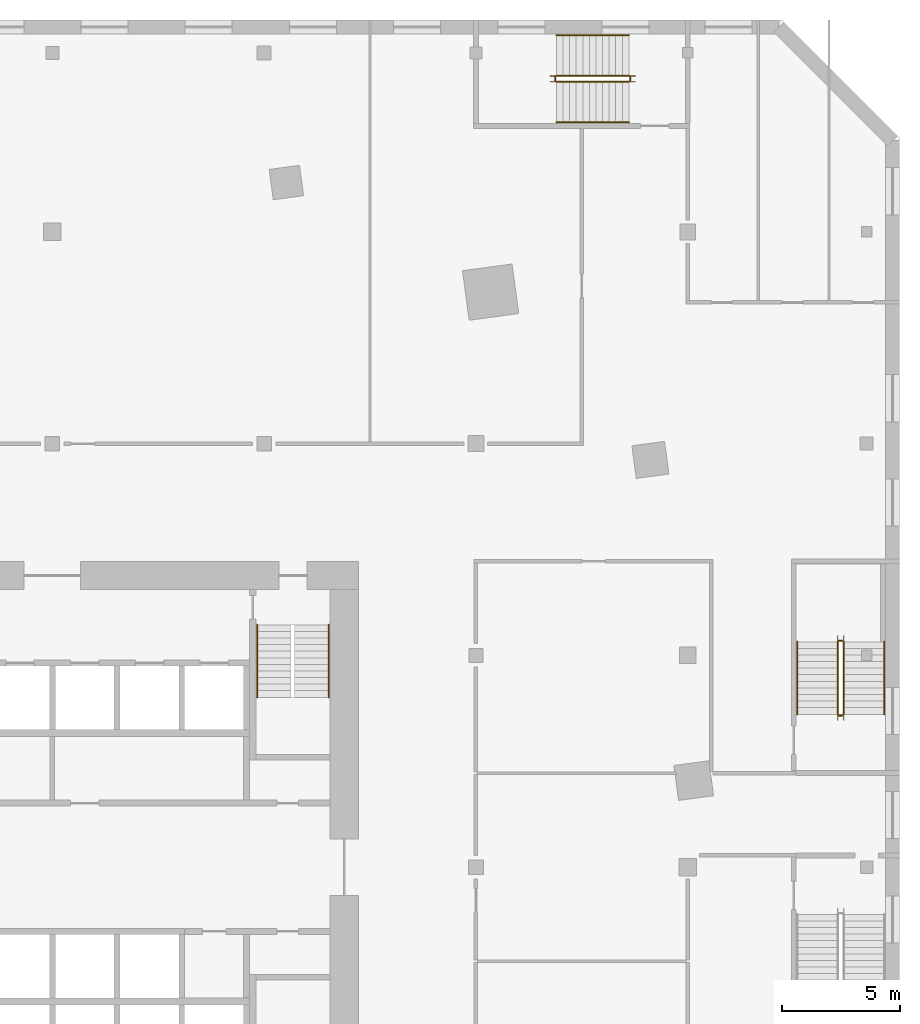
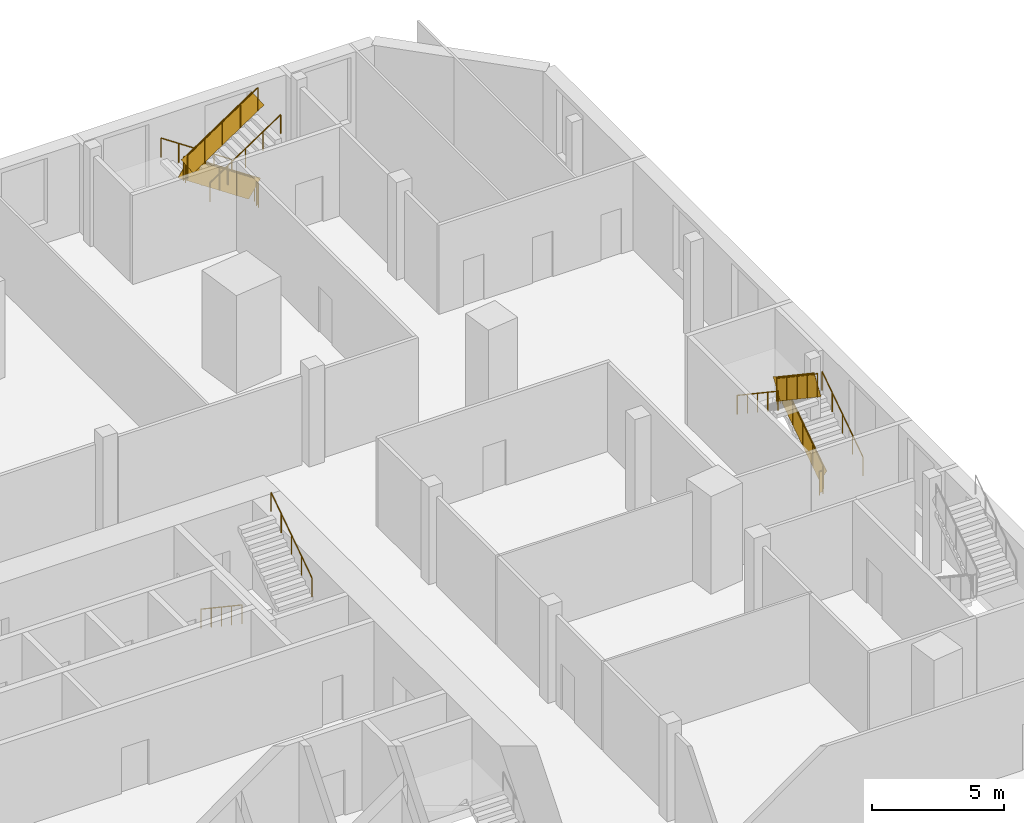
# One storey, part 20 of 20: 14 railings.
"""IFC4 building model written with IfcOpenShell, lengths in metres."""

from ifc_helpers import new_model, si_unit, direction, frame, origin, origin_2d, place, context, subcontext, project, spatial, rectangle, circle, extrude, material, type_object, element, save


model = new_model("IFC4")

# Units and contexts
model_context = context("Model", 3, precision=1e-05, world=origin(), true_north=direction((0.0, 1.0)))
body_context = subcontext(model_context, "Body", "Model", "MODEL_VIEW")
ifc_project = project(units=[si_unit("LENGTHUNIT", "METRE"), si_unit("AREAUNIT", "SQUARE_METRE"), si_unit("VOLUMEUNIT", "CUBIC_METRE"), si_unit("PLANEANGLEUNIT", "RADIAN"), si_unit("MASSUNIT", "GRAM", prefix="KILO")], contexts=[model_context])

# Site, building, storey
site_placement = place(None, origin())
site = spatial("IfcSite", under=ifc_project, at=site_placement, CompositionType="ELEMENT")
building_placement = place(site_placement, origin())
building = spatial("IfcBuilding", under=site, at=building_placement, Name="Dilmun Exchange Tower", CompositionType="ELEMENT")
storey_placement = place(building_placement, frame((0.0, 0.0, 9.0)))
storey = spatial("IfcBuildingStorey", under=building, at=storey_placement, Name="L02", CompositionType="ELEMENT", Elevation=9.0)

# Railings
ifc_material_1 = material(Name="Guard 1100")
railing_type_1 = type_object("IfcRailingType", Name="Guard 1100", PredefinedType="GUARDRAIL", material=ifc_material_1)
railing_1_placement = place(storey_placement, frame((24.5, 33.6240234375, 0.1875)))
element("IfcRailing", 1, at=railing_1_placement, inside=storey, type_object=railing_type_1, Name="L02 PS2 stair guard 1", PredefinedType="GUARDRAIL", context=body_context, shape_type="SweptSolid", body=[
    extrude(circle(Radius=0.02392578125, at=origin_2d()), frame((0.0, 0.0, 1.076171875), z_axis=(-0.830913701846, 0.0, 0.55640131208), x_axis=(0.0, -1.0, 0.0)), (0.0, 0.0, 1.0), 3.706787109375),
    extrude(rectangle(XDim=0.011962890625, YDim=0.951904296875, at=origin_2d()), frame((0.0, 0.0, 0.576171875), z_axis=(-0.830913701846, 0.0, 0.55640131208), x_axis=(0.0, -1.0, 0.0)), (0.0, 0.0, 1.0), 3.706787109375),
    extrude(circle(Radius=0.02099609375, at=origin_2d()), origin(), (0.0, 0.0, 1.0), 1.052001953125),
    extrude(circle(Radius=0.02099609375, at=origin_2d()), frame((-0.77001953125, 0.0, 0.515625)), (0.0, 0.0, 1.0), 1.052001953125),
    extrude(circle(Radius=0.02099609375, at=origin_2d()), frame((-1.5400390625, 0.0, 1.03125)), (0.0, 0.0, 1.0), 1.052001953125),
    extrude(circle(Radius=0.02099609375, at=origin_2d()), frame((-2.31005859375, 0.0, 1.546875)), (0.0, 0.0, 1.0), 1.052001953125),
    extrude(circle(Radius=0.02099609375, at=origin_2d()), frame((-3.080078125, 0.0, 2.0625)), (0.0, 0.0, 1.0), 1.052001953125),
])
railing_2_placement = place(storey_placement, frame((21.3701171875, 33.573974609375, 2.25)))
element("IfcRailing", 2, at=railing_2_placement, inside=storey, type_object=railing_type_1, Name="L02 PS2 stair guard 2", PredefinedType="GUARDRAIL", context=body_context, shape_type="SweptSolid", body=[
    extrude(circle(Radius=0.02392578125, at=origin_2d()), frame((0.0, 0.0, 1.076171875), z_axis=(0.0, -1.0, 0.0), x_axis=(1.0, 0.0, 0.0)), (0.0, 0.0, 1.0), 0.14990234375),
    extrude(rectangle(XDim=0.011962890625, YDim=0.951904296875, at=origin_2d()), frame((0.0, 0.0, 0.576171875), z_axis=(0.0, -1.0, 0.0), x_axis=(1.0, 0.0, 0.0)), (0.0, 0.0, 1.0), 0.14990234375),
    extrude(circle(Radius=0.02099609375, at=origin_2d()), origin(), (0.0, 0.0, 1.0), 1.052001953125),
    extrude(circle(Radius=0.02099609375, at=origin_2d()), frame((0.0, -0.14990234375, 0.0)), (0.0, 0.0, 1.0), 1.052001953125),
])
railing_3_placement = place(storey_placement, frame((21.419921875, 33.3740234375, 2.4375)))
element("IfcRailing", 3, at=railing_3_placement, inside=storey, type_object=railing_type_1, Name="L02 PS2 stair guard 3", PredefinedType="GUARDRAIL", context=body_context, shape_type="SweptSolid", body=[
    extrude(circle(Radius=0.02392578125, at=origin_2d()), frame((0.0, 0.0, 1.076171875), z_axis=(0.830913701846, 0.0, 0.55640131208), x_axis=(0.0, 1.0, 0.0)), (0.0, 0.0, 1.0), 3.706787109375),
    extrude(rectangle(XDim=0.011962890625, YDim=0.951904296875, at=origin_2d()), frame((0.0, 0.0, 0.576171875), z_axis=(0.830913701846, 0.0, 0.55640131208), x_axis=(0.0, 1.0, 0.0)), (0.0, 0.0, 1.0), 3.706787109375),
    extrude(circle(Radius=0.02099609375, at=origin_2d()), origin(), (0.0, 0.0, 1.0), 1.052001953125),
    extrude(circle(Radius=0.02099609375, at=origin_2d()), frame((0.77001953125, 0.0, 0.515625)), (0.0, 0.0, 1.0), 1.052001953125),
    extrude(circle(Radius=0.02099609375, at=origin_2d()), frame((1.5400390625, 0.0, 1.03125)), (0.0, 0.0, 1.0), 1.052001953125),
    extrude(circle(Radius=0.02099609375, at=origin_2d()), frame((2.31005859375, 0.0, 1.546875)), (0.0, 0.0, 1.0), 1.052001953125),
    extrude(circle(Radius=0.02099609375, at=origin_2d()), frame((3.080078125, 0.0, 2.0625)), (0.0, 0.0, 1.0), 1.052001953125),
])
railing_4_placement = place(storey_placement, frame((24.550048828125, 33.573974609375, 0.0)))
element("IfcRailing", 4, at=railing_4_placement, inside=storey, type_object=railing_type_1, Name="L02 PS2 stair guard 4", PredefinedType="GUARDRAIL", context=body_context, shape_type="SweptSolid", body=[
    extrude(circle(Radius=0.02392578125, at=origin_2d()), frame((0.0, 0.0, 1.076171875), z_axis=(0.0, -1.0, 0.0), x_axis=(1.0, 0.0, 0.0)), (0.0, 0.0, 1.0), 0.14990234375),
    extrude(rectangle(XDim=0.011962890625, YDim=0.951904296875, at=origin_2d()), frame((0.0, 0.0, 0.576171875), z_axis=(0.0, -1.0, 0.0), x_axis=(1.0, 0.0, 0.0)), (0.0, 0.0, 1.0), 0.14990234375),
    extrude(circle(Radius=0.02099609375, at=origin_2d()), origin(), (0.0, 0.0, 1.0), 1.052001953125),
    extrude(circle(Radius=0.02099609375, at=origin_2d()), frame((0.0, -0.14990234375, 0.0)), (0.0, 0.0, 1.0), 1.052001953125),
])
railing_5_placement = place(storey_placement, frame((33.6240234375, 6.5, 0.1875)))
element("IfcRailing", 5, at=railing_5_placement, inside=storey, type_object=railing_type_1, Name="L02 PS4 stair guard 1", PredefinedType="GUARDRAIL", context=body_context, shape_type="SweptSolid", body=[
    extrude(circle(Radius=0.02392578125, at=origin_2d()), frame((0.0, 0.0, 1.076171875), z_axis=(0.0, 0.830913701846, 0.55640131208), x_axis=(-1.0, 0.0, 0.0)), (0.0, 0.0, 1.0), 3.706787109375),
    extrude(rectangle(XDim=0.011962890625, YDim=0.951904296875, at=origin_2d()), frame((0.0, 0.0, 0.576171875), z_axis=(0.0, 0.830913701846, 0.55640131208), x_axis=(-1.0, 0.0, 0.0)), (0.0, 0.0, 1.0), 3.706787109375),
    extrude(circle(Radius=0.02099609375, at=origin_2d()), origin(), (0.0, 0.0, 1.0), 1.052001953125),
    extrude(circle(Radius=0.02099609375, at=origin_2d()), frame((0.0, 0.77001953125, 0.515625)), (0.0, 0.0, 1.0), 1.052001953125),
    extrude(circle(Radius=0.02099609375, at=origin_2d()), frame((0.0, 1.5400390625, 1.03125)), (0.0, 0.0, 1.0), 1.052001953125),
    extrude(circle(Radius=0.02099609375, at=origin_2d()), frame((0.0, 2.31005859375, 1.546875)), (0.0, 0.0, 1.0), 1.052001953125),
    extrude(circle(Radius=0.02099609375, at=origin_2d()), frame((0.0, 3.080078125, 2.0625)), (0.0, 0.0, 1.0), 1.052001953125),
])
railing_6_placement = place(storey_placement, frame((33.573974609375, 9.6298828125, 2.25)))
element("IfcRailing", 6, at=railing_6_placement, inside=storey, type_object=railing_type_1, Name="L02 PS4 stair guard 2", PredefinedType="GUARDRAIL", context=body_context, shape_type="SweptSolid", body=[
    extrude(circle(Radius=0.02392578125, at=origin_2d()), frame((0.0, 0.0, 1.076171875), z_axis=(-1.0, 0.0, 0.0), x_axis=(0.0, -1.0, 0.0)), (0.0, 0.0, 1.0), 0.14990234375),
    extrude(rectangle(XDim=0.011962890625, YDim=0.951904296875, at=origin_2d()), frame((0.0, 0.0, 0.576171875), z_axis=(-1.0, 0.0, 0.0), x_axis=(0.0, -1.0, 0.0)), (0.0, 0.0, 1.0), 0.14990234375),
    extrude(circle(Radius=0.02099609375, at=origin_2d()), origin(), (0.0, 0.0, 1.0), 1.052001953125),
    extrude(circle(Radius=0.02099609375, at=origin_2d()), frame((-0.14990234375, 0.0, 0.0)), (0.0, 0.0, 1.0), 1.052001953125),
])
railing_7_placement = place(storey_placement, frame((33.3740234375, 9.580078125, 2.4375)))
element("IfcRailing", 7, at=railing_7_placement, inside=storey, type_object=railing_type_1, Name="L02 PS4 stair guard 3", PredefinedType="GUARDRAIL", context=body_context, shape_type="SweptSolid", body=[
    extrude(circle(Radius=0.02392578125, at=origin_2d()), frame((0.0, 0.0, 1.076171875), z_axis=(0.0, -0.830913701846, 0.55640131208), x_axis=(1.0, 0.0, 0.0)), (0.0, 0.0, 1.0), 3.706787109375),
    extrude(rectangle(XDim=0.011962890625, YDim=0.951904296875, at=origin_2d()), frame((0.0, 0.0, 0.576171875), z_axis=(0.0, -0.830913701846, 0.55640131208), x_axis=(1.0, 0.0, 0.0)), (0.0, 0.0, 1.0), 3.706787109375),
    extrude(circle(Radius=0.02099609375, at=origin_2d()), origin(), (0.0, 0.0, 1.0), 1.052001953125),
    extrude(circle(Radius=0.02099609375, at=origin_2d()), frame((0.0, -0.77001953125, 0.515625)), (0.0, 0.0, 1.0), 1.052001953125),
    extrude(circle(Radius=0.02099609375, at=origin_2d()), frame((0.0, -1.5400390625, 1.03125)), (0.0, 0.0, 1.0), 1.052001953125),
    extrude(circle(Radius=0.02099609375, at=origin_2d()), frame((0.0, -2.31005859375, 1.546875)), (0.0, 0.0, 1.0), 1.052001953125),
    extrude(circle(Radius=0.02099609375, at=origin_2d()), frame((0.0, -3.080078125, 2.0625)), (0.0, 0.0, 1.0), 1.052001953125),
])
railing_8_placement = place(storey_placement, frame((33.573974609375, 6.449951171875, 0.0)))
element("IfcRailing", 8, at=railing_8_placement, inside=storey, type_object=railing_type_1, Name="L02 PS4 stair guard 4", PredefinedType="GUARDRAIL", context=body_context, shape_type="SweptSolid", body=[
    extrude(circle(Radius=0.02392578125, at=origin_2d()), frame((0.0, 0.0, 1.076171875), z_axis=(-1.0, 0.0, 0.0), x_axis=(0.0, -1.0, 0.0)), (0.0, 0.0, 1.0), 0.14990234375),
    extrude(rectangle(XDim=0.011962890625, YDim=0.951904296875, at=origin_2d()), frame((0.0, 0.0, 0.576171875), z_axis=(-1.0, 0.0, 0.0), x_axis=(0.0, -1.0, 0.0)), (0.0, 0.0, 1.0), 0.14990234375),
    extrude(circle(Radius=0.02099609375, at=origin_2d()), origin(), (0.0, 0.0, 1.0), 1.052001953125),
    extrude(circle(Radius=0.02099609375, at=origin_2d()), frame((-0.14990234375, 0.0, 0.0)), (0.0, 0.0, 1.0), 1.052001953125),
])
ifc_material_2 = material(Name="Handrail 900")
railing_type_2 = type_object("IfcRailingType", Name="Handrail 900", PredefinedType="HANDRAIL", material=ifc_material_2)
railing_9_placement = place(storey_placement, frame((24.5, 35.347900390625, 0.1875)))
element("IfcRailing", 9, at=railing_9_placement, inside=storey, type_object=railing_type_2, Name="L02 PS2 stair handrail 1", PredefinedType="HANDRAIL", context=body_context, shape_type="SweptSolid", body=[
    extrude(circle(Radius=0.02392578125, at=origin_2d()), frame((0.0, 0.0, 0.8759765625), z_axis=(-0.830913701846, 0.0, 0.55640131208), x_axis=(0.0, -1.0, 0.0)), (0.0, 0.0, 1.0), 3.706787109375),
    extrude(circle(Radius=0.02099609375, at=origin_2d()), origin(), (0.0, 0.0, 1.0), 0.851806640625),
    extrude(circle(Radius=0.02099609375, at=origin_2d()), frame((-0.77001953125, 0.0, 0.515625)), (0.0, 0.0, 1.0), 0.851806640625),
    extrude(circle(Radius=0.02099609375, at=origin_2d()), frame((-1.5400390625, 0.0, 1.03125)), (0.0, 0.0, 1.0), 0.851806640625),
    extrude(circle(Radius=0.02099609375, at=origin_2d()), frame((-2.31005859375, 0.0, 1.546875)), (0.0, 0.0, 1.0), 0.851806640625),
    extrude(circle(Radius=0.02099609375, at=origin_2d()), frame((-3.080078125, 0.0, 2.0625)), (0.0, 0.0, 1.0), 0.851806640625),
])
railing_10_placement = place(storey_placement, frame((21.419921875, 31.64990234375, 2.4375)))
element("IfcRailing", 10, at=railing_10_placement, inside=storey, type_object=railing_type_2, Name="L02 PS2 stair handrail 2", PredefinedType="HANDRAIL", context=body_context, shape_type="SweptSolid", body=[
    extrude(circle(Radius=0.02392578125, at=origin_2d()), frame((0.0, 0.0, 0.8759765625), z_axis=(0.830913701846, 0.0, 0.55640131208), x_axis=(0.0, 1.0, 0.0)), (0.0, 0.0, 1.0), 3.706787109375),
    extrude(circle(Radius=0.02099609375, at=origin_2d()), origin(), (0.0, 0.0, 1.0), 0.851806640625),
    extrude(circle(Radius=0.02099609375, at=origin_2d()), frame((0.77001953125, 0.0, 0.515625)), (0.0, 0.0, 1.0), 0.851806640625),
    extrude(circle(Radius=0.02099609375, at=origin_2d()), frame((1.5400390625, 0.0, 1.03125)), (0.0, 0.0, 1.0), 0.851806640625),
    extrude(circle(Radius=0.02099609375, at=origin_2d()), frame((2.31005859375, 0.0, 1.546875)), (0.0, 0.0, 1.0), 0.851806640625),
    extrude(circle(Radius=0.02099609375, at=origin_2d()), frame((3.080078125, 0.0, 2.0625)), (0.0, 0.0, 1.0), 0.851806640625),
])
railing_11_placement = place(storey_placement, frame((35.347900390625, 6.5, 0.1875)))
element("IfcRailing", 11, at=railing_11_placement, inside=storey, type_object=railing_type_2, Name="L02 PS4 stair handrail 1", PredefinedType="HANDRAIL", context=body_context, shape_type="SweptSolid", body=[
    extrude(circle(Radius=0.02392578125, at=origin_2d()), frame((0.0, 0.0, 0.8759765625), z_axis=(0.0, 0.830913701846, 0.55640131208), x_axis=(-1.0, 0.0, 0.0)), (0.0, 0.0, 1.0), 3.706787109375),
    extrude(circle(Radius=0.02099609375, at=origin_2d()), origin(), (0.0, 0.0, 1.0), 0.851806640625),
    extrude(circle(Radius=0.02099609375, at=origin_2d()), frame((0.0, 0.77001953125, 0.515625)), (0.0, 0.0, 1.0), 0.851806640625),
    extrude(circle(Radius=0.02099609375, at=origin_2d()), frame((0.0, 1.5400390625, 1.03125)), (0.0, 0.0, 1.0), 0.851806640625),
    extrude(circle(Radius=0.02099609375, at=origin_2d()), frame((0.0, 2.31005859375, 1.546875)), (0.0, 0.0, 1.0), 0.851806640625),
    extrude(circle(Radius=0.02099609375, at=origin_2d()), frame((0.0, 3.080078125, 2.0625)), (0.0, 0.0, 1.0), 0.851806640625),
])
railing_12_placement = place(storey_placement, frame((31.64990234375, 9.580078125, 2.4375)))
element("IfcRailing", 12, at=railing_12_placement, inside=storey, type_object=railing_type_2, Name="L02 PS4 stair handrail 2", PredefinedType="HANDRAIL", context=body_context, shape_type="SweptSolid", body=[
    extrude(circle(Radius=0.02392578125, at=origin_2d()), frame((0.0, 0.0, 0.8759765625), z_axis=(0.0, -0.830913701846, 0.55640131208), x_axis=(1.0, 0.0, 0.0)), (0.0, 0.0, 1.0), 3.706787109375),
    extrude(circle(Radius=0.02099609375, at=origin_2d()), origin(), (0.0, 0.0, 1.0), 0.851806640625),
    extrude(circle(Radius=0.02099609375, at=origin_2d()), frame((0.0, -0.77001953125, 0.515625)), (0.0, 0.0, 1.0), 0.851806640625),
    extrude(circle(Radius=0.02099609375, at=origin_2d()), frame((0.0, -1.5400390625, 1.03125)), (0.0, 0.0, 1.0), 0.851806640625),
    extrude(circle(Radius=0.02099609375, at=origin_2d()), frame((0.0, -2.31005859375, 1.546875)), (0.0, 0.0, 1.0), 0.851806640625),
    extrude(circle(Radius=0.02099609375, at=origin_2d()), frame((0.0, -3.080078125, 2.0625)), (0.0, 0.0, 1.0), 0.851806640625),
])
ifc_material_3 = material(Name="Stainless steel", Category="steel")
railing_type_3 = type_object("IfcRailingType", Name="Stair handrail 900", PredefinedType="HANDRAIL", material=ifc_material_3)
railing_13_placement = place(storey_placement, frame((8.699951171875, 10.300048828125, 0.1875)))
element("IfcRailing", 13, at=railing_13_placement, inside=storey, type_object=railing_type_3, Name="L02 ST1 stair handrail 1", PredefinedType="HANDRAIL", context=body_context, shape_type="SweptSolid", body=[
    extrude(circle(Radius=0.02392578125, at=origin_2d()), frame((0.0, 0.0, 0.8759765625), z_axis=(0.0, -0.830913701846, 0.55640131208), x_axis=(1.0, 0.0, 0.0)), (0.0, 0.0, 1.0), 3.706787109375),
    extrude(circle(Radius=0.02099609375, at=origin_2d()), origin(), (0.0, 0.0, 1.0), 0.851806640625),
    extrude(circle(Radius=0.02099609375, at=origin_2d()), frame((0.0, -0.77001953125, 0.515625)), (0.0, 0.0, 1.0), 0.851806640625),
    extrude(circle(Radius=0.02099609375, at=origin_2d()), frame((0.0, -1.5400390625, 1.03125)), (0.0, 0.0, 1.0), 0.851806640625),
    extrude(circle(Radius=0.02099609375, at=origin_2d()), frame((0.0, -2.31005859375, 1.546875)), (0.0, 0.0, 1.0), 0.851806640625),
    extrude(circle(Radius=0.02099609375, at=origin_2d()), frame((0.0, -3.080078125, 2.0625)), (0.0, 0.0, 1.0), 0.851806640625),
])
railing_14_placement = place(storey_placement, frame((11.75, 7.219970703125, 2.4375)))
element("IfcRailing", 14, at=railing_14_placement, inside=storey, type_object=railing_type_3, Name="L02 ST1 stair handrail 2", PredefinedType="HANDRAIL", context=body_context, shape_type="SweptSolid", body=[
    extrude(circle(Radius=0.02392578125, at=origin_2d()), frame((0.0, 0.0, 0.8759765625), z_axis=(0.0, 0.830913701846, 0.55640131208), x_axis=(-1.0, 0.0, 0.0)), (0.0, 0.0, 1.0), 3.706787109375),
    extrude(circle(Radius=0.02099609375, at=origin_2d()), origin(), (0.0, 0.0, 1.0), 0.851806640625),
    extrude(circle(Radius=0.02099609375, at=origin_2d()), frame((0.0, 0.77001953125, 0.515625)), (0.0, 0.0, 1.0), 0.851806640625),
    extrude(circle(Radius=0.02099609375, at=origin_2d()), frame((0.0, 1.5400390625, 1.03125)), (0.0, 0.0, 1.0), 0.851806640625),
    extrude(circle(Radius=0.02099609375, at=origin_2d()), frame((0.0, 2.31005859375, 1.546875)), (0.0, 0.0, 1.0), 0.851806640625),
    extrude(circle(Radius=0.02099609375, at=origin_2d()), frame((0.0, 3.080078125, 2.0625)), (0.0, 0.0, 1.0), 0.851806640625),
])

save(model, "model.ifc")
